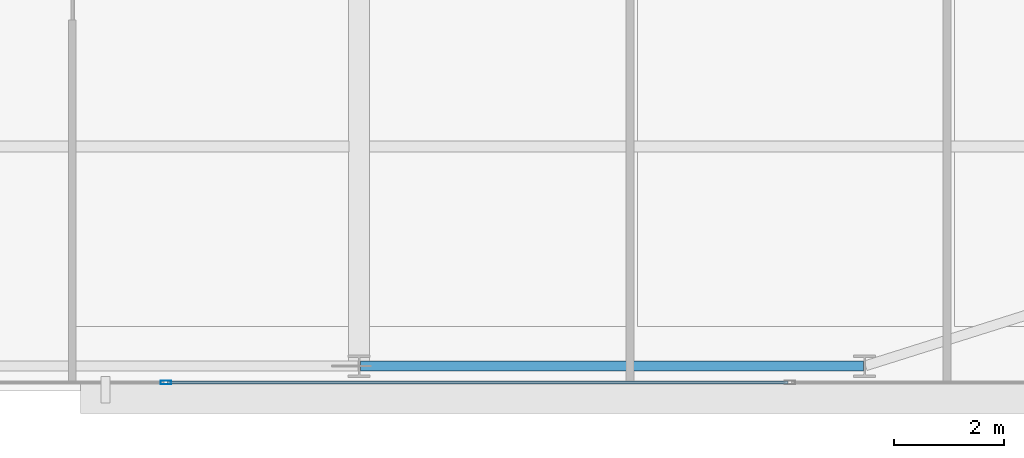
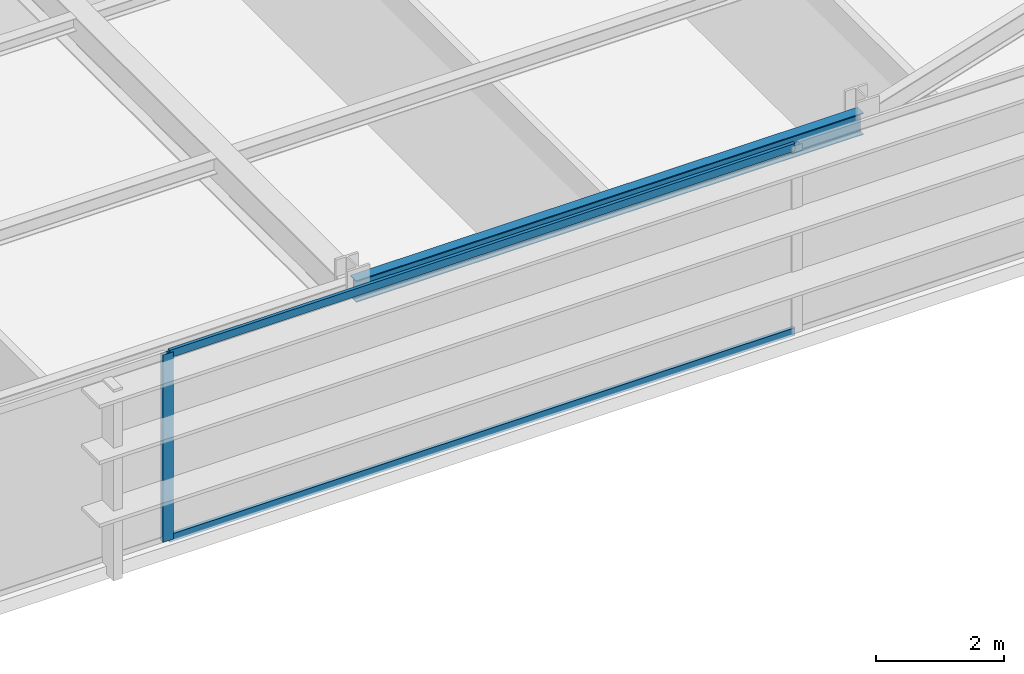
# One storey, part 12 of 32: 3 members, 1 beam, 1 element without a shape of its own.
"""IFC4 building model written with IfcOpenShell, lengths in metres."""

from ifc_helpers import new_model, si_unit, direction, frame, origin, origin_2d, place, context, subcontext, project, spatial, hollow_rectangle, i_section, extrude, source, transform, mapped, material, layer, layer_set, material_profile, profile_set, type_object, type_shapes, element, aggregate, save


model = new_model("IFC4")

# Units and contexts
model_context = context("Model", 3, precision=1e-05, world=origin(), true_north=direction((0.0, 1.0)))
body_context = subcontext(model_context, "Body", "Model", "MODEL_VIEW")
ifc_project = project(units=[si_unit("LENGTHUNIT", "METRE"), si_unit("AREAUNIT", "SQUARE_METRE"), si_unit("VOLUMEUNIT", "CUBIC_METRE"), si_unit("PLANEANGLEUNIT", "RADIAN"), si_unit("MASSUNIT", "GRAM", prefix="KILO")], contexts=[model_context])

# Site, building, storey
site_placement = place(None, origin())
site = spatial("IfcSite", under=ifc_project, at=site_placement, CompositionType="ELEMENT")
building_placement = place(site_placement, origin())
building = spatial("IfcBuilding", under=site, at=building_placement, Name="Varnel Quay Broadcast Tower", CompositionType="ELEMENT")
storey_placement = place(building_placement, frame((0.0, 0.0, 78.300048828125)))
storey = spatial("IfcBuildingStorey", under=building, at=storey_placement, Name="L18", CompositionType="ELEMENT", Elevation=78.300048828125)

# Beam
ifc_material_1 = material(Name="Structural Steel CSA G40.21 350W", Category="steel")
ifc_material_profile_1 = material_profile(ifc_material_1, i_section(OverallWidth=0.180908203125, OverallDepth=0.4169921875, WebThickness=0.010986328125, FlangeThickness=0.018310546875, FilletRadius=0.011962890625, at=origin_2d()), Name="W410X85")
ifc_profile_set_1 = profile_set([ifc_material_profile_1], Name="Structural Steel CSA G40.21 350W")
beam_type = type_object("IfcBeamType", Name="Beam_W410X85", PredefinedType="SPANDREL", material=ifc_profile_set_1)
shared_shape_1 = source(origin(), body_context, "Body", "SweptSolid", [
    extrude(i_section(OverallWidth=0.180908203125, OverallDepth=0.4169921875, WebThickness=0.010986328125, FlangeThickness=0.018310546875, FilletRadius=0.011962890625, at=origin_2d()), origin(), (0.0, 0.0, 1.0), 9.159912109375),
])
type_shapes(beam_type, [shared_shape_1])
beam_placement = place(storey_placement, frame((43.219970703125, 1.64990234375, 3.371337890625), z_axis=(1.0, 0.0, 0.0), x_axis=(0.0, 1.0, 0.0)))
element("IfcBeam", 1, at=beam_placement, inside=storey, type_object=beam_type, Name="L18 South Spandrel TC-S4-TC-S5", PredefinedType="SPANDREL", context=body_context, shape_type="MappedRepresentation", body=[
    mapped(shared_shape_1, transform((0.0, 0.0, 0.0), x_axis=(1.0, 0.0, 0.0), y_axis=(0.0, 1.0, 0.0), z_axis=(0.0, 0.0, 1.0), scale=1.0)),
])

# Curtain wall, members
ifc_material_2 = material(Name="Anodised Bronze Aluminium 6063-T6", Category="aluminium")
ifc_layer = layer(ifc_material_2, 0.18994140625, Name="Anodised Bronze Aluminium 6063-T6")
ifc_layer_set = layer_set([ifc_layer], Name="Anodised Bronze Aluminium 6063-T6")
curtain_wall_type = type_object("IfcCurtainWallType", Name="CW_LowerTower", PredefinedType="NOTDEFINED", material=ifc_layer_set)
curtain_wall_placement = place(storey_placement, origin())
curtain_wall = element("IfcCurtainWall", 2, at=curtain_wall_placement, inside=storey, type_object=curtain_wall_type, Name="L18 South Unitised Curtain Wall 1", PredefinedType="NOTDEFINED")
ifc_material_profile_2 = material_profile(ifc_material_2, hollow_rectangle(XDim=0.06005859375, YDim=0.14501953125, WallThickness=0.00341796875, at=origin_2d()), Name="ALU60X145X3.5")
ifc_profile_set_2 = profile_set([ifc_material_profile_2], Name="Anodised Bronze Aluminium 6063-T6")
member_type_1 = type_object("IfcMemberType", Name="Tran_CWS-02", PredefinedType="USERDEFINED", material=ifc_profile_set_2)
shared_shape_2 = source(origin(), body_context, "Body", "SweptSolid", [
    extrude(hollow_rectangle(XDim=0.06005859375, YDim=0.14501953125, WallThickness=0.00341796875, at=origin_2d()), origin(), (0.0, 0.0, 1.0), 11.289794921875),
])
type_shapes(member_type_1, [shared_shape_2])
member_1_placement = place(storey_placement, frame((39.715087890625, 1.35009765625, 0.030029296875), z_axis=(1.0, 0.0, 0.0), x_axis=(0.0, 1.0, 0.0)))
member_1 = element("IfcMember", 3, at=member_1_placement, type_object=member_type_1, Name="CWS-02 transom 4.1", ObjectType="TRANSOM", PredefinedType="USERDEFINED", context=body_context, shape_type="MappedRepresentation", body=[
    mapped(shared_shape_2, transform((0.0, 0.0, 0.0), x_axis=(1.0, 0.0, 0.0), y_axis=(0.0, 1.0, 0.0), z_axis=(0.0, 0.0, 1.0), scale=1.0)),
])
member_2_placement = place(storey_placement, frame((39.715087890625, 1.35009765625, 3.550048828125), z_axis=(1.0, 0.0, 0.0), x_axis=(0.0, 1.0, 0.0)))
member_2 = element("IfcMember", 4, at=member_2_placement, type_object=member_type_1, Name="CWS-02 transom 4.2", ObjectType="TRANSOM", PredefinedType="USERDEFINED", context=body_context, shape_type="MappedRepresentation", body=[
    mapped(shared_shape_2, transform((0.0, 0.0, 0.0), x_axis=(1.0, 0.0, 0.0), y_axis=(0.0, 1.0, 0.0), z_axis=(0.0, 0.0, 1.0), scale=1.0)),
])
ifc_material_profile_3 = material_profile(ifc_material_2, hollow_rectangle(XDim=0.070068359375, YDim=0.18994140625, WallThickness=0.00390625, at=origin_2d()), Name="ALU70X190X4")
ifc_profile_set_3 = profile_set([ifc_material_profile_3], Name="Anodised Bronze Aluminium 6063-T6")
member_type_2 = type_object("IfcMemberType", Name="Mull_CWS-02", PredefinedType="MULLION", material=ifc_profile_set_3)
shared_shape_3 = source(origin(), body_context, "Body", "SweptSolid", [
    extrude(hollow_rectangle(XDim=0.070068359375, YDim=0.18994140625, WallThickness=0.00390625, at=origin_2d()), origin(), (0.0, 0.0, 1.0), 3.579833984375),
])
type_shapes(member_type_2, [shared_shape_3])
member_3_placement = place(storey_placement, frame((39.679931640625, 1.35009765625, 0.0), z_axis=(0.0, 0.0, 1.0), x_axis=(0.0, 1.0, 0.0)))
member_3 = element("IfcMember", 5, at=member_3_placement, type_object=member_type_2, Name="CWS-02 mullion 4", PredefinedType="MULLION", context=body_context, shape_type="MappedRepresentation", body=[
    mapped(shared_shape_3, transform((0.0, 0.0, 0.0), x_axis=(1.0, 0.0, 0.0), y_axis=(0.0, 1.0, 0.0), z_axis=(0.0, 0.0, 1.0), scale=1.0)),
])
aggregate(curtain_wall, [member_3, member_1, member_2])

save(model, "model.ifc")
